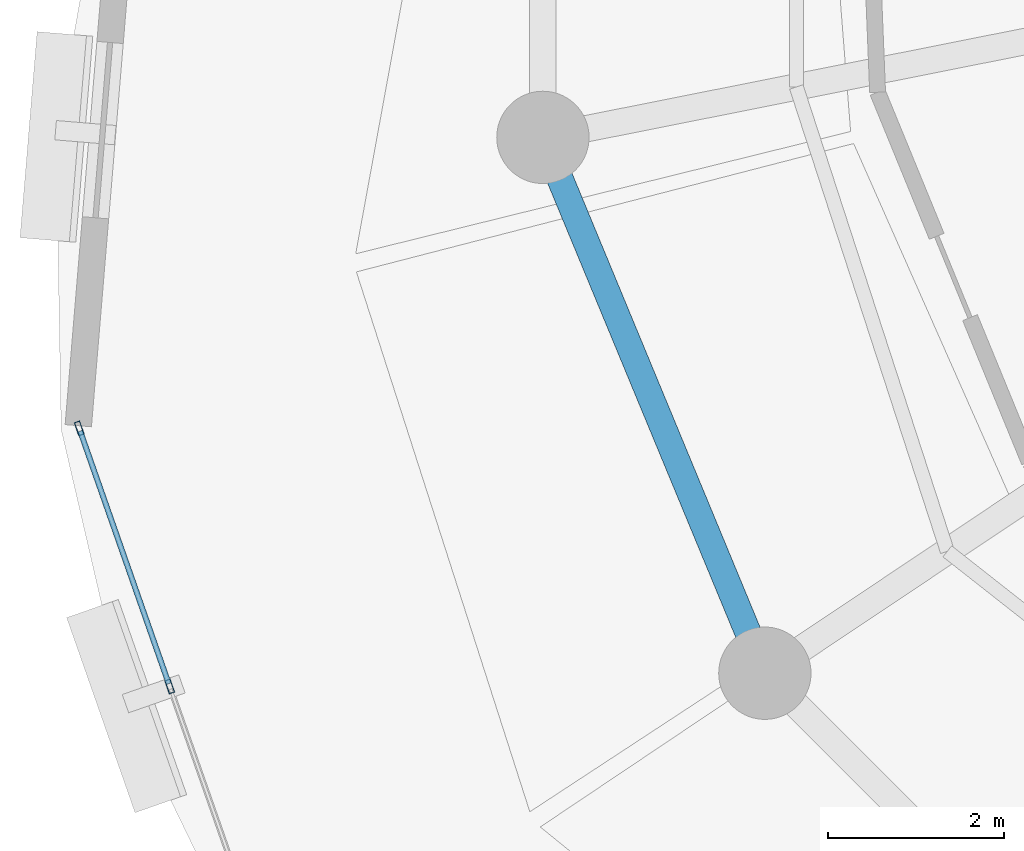
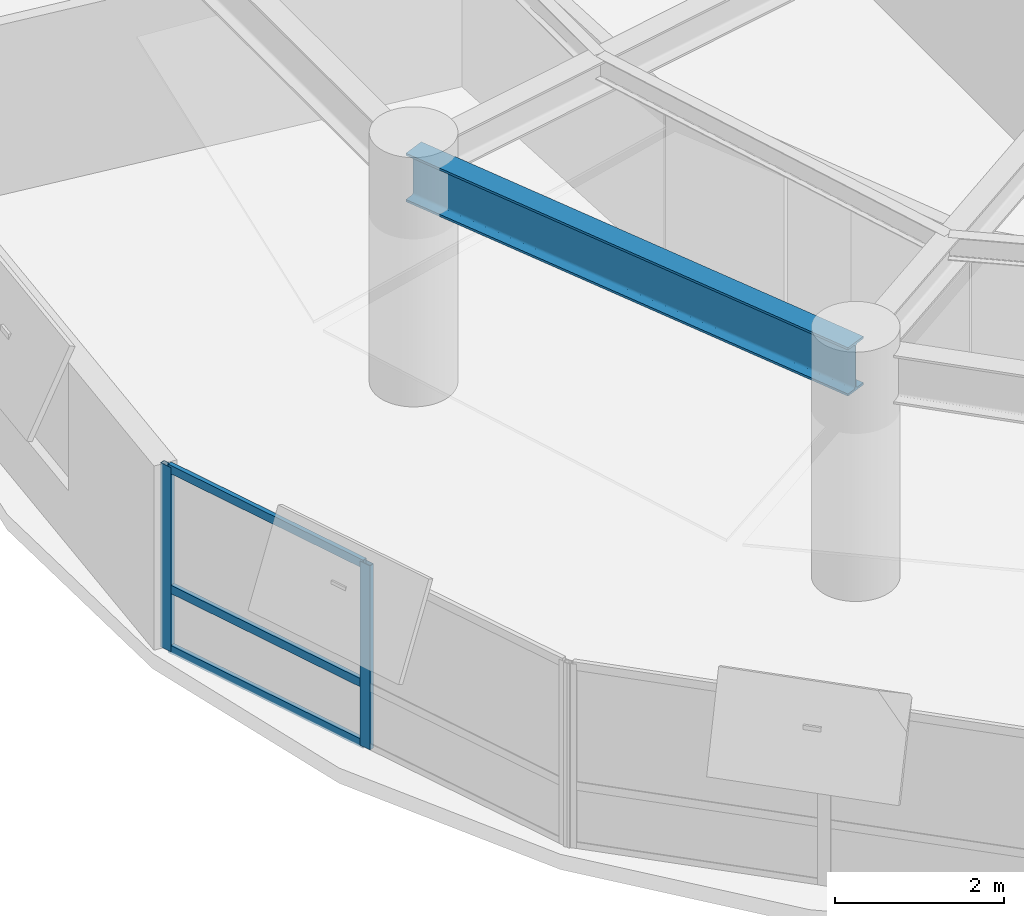
# One storey, part 4 of 12: 5 members, 1 beam, 1 element without a shape of its own.
"""IFC4 building model written with IfcOpenShell, lengths in metres."""

from ifc_helpers import new_model, si_unit, direction, frame, origin, origin_2d, place, context, subcontext, project, spatial, hollow_rectangle, i_section, extrude, material, layer, layer_set, material_profile, profile_set, type_object, element, aggregate, save


model = new_model("IFC4")

# Units and contexts
model_context = context("Model", 3, precision=1e-05, world=origin(), true_north=direction((0.0, 1.0)))
body_context = subcontext(model_context, "Body", "Model", "MODEL_VIEW")
ifc_project = project(units=[si_unit("LENGTHUNIT", "METRE"), si_unit("AREAUNIT", "SQUARE_METRE"), si_unit("VOLUMEUNIT", "CUBIC_METRE"), si_unit("PLANEANGLEUNIT", "RADIAN"), si_unit("MASSUNIT", "GRAM", prefix="KILO"), si_unit("THERMODYNAMICTEMPERATUREUNIT", "KELVIN"), si_unit("POWERUNIT", "WATT")], contexts=[model_context])

# Site, building, storey
site_placement = place(None, origin())
site = spatial("IfcSite", under=ifc_project, at=site_placement, CompositionType="ELEMENT")
building_placement = place(site_placement, origin())
building = spatial("IfcBuilding", under=site, at=building_placement, Name="Ocrelia Relay Tower", CompositionType="ELEMENT")
storey_placement = place(building_placement, frame((0.0, 0.0, 170.0)))
storey = spatial("IfcBuildingStorey", under=building, at=storey_placement, Name="L40", CompositionType="ELEMENT", Elevation=170.0)

# Beam
ifc_material_1 = material(Name="Steel S355", Category="steel")
ifc_material_profile_1 = material_profile(ifc_material_1, i_section(OverallWidth=0.300048828125, OverallDepth=0.699951171875, WebThickness=0.01708984375, FlangeThickness=0.031982421875, FilletRadius=0.027099609375, at=origin_2d()), Name="HEB 700")
ifc_profile_set_1 = profile_set([ifc_material_profile_1], Name="Steel S355")
beam_type = type_object("IfcBeamType", Name="BM-HEB700", PredefinedType="BEAM", material=ifc_profile_set_1)
beam_placement = place(storey_placement, frame((17.4248046875, 22.702880859375, 3.030029296875), z_axis=(0.382687508402, -0.923877844151, 0.0), x_axis=(0.923877844151, 0.382687508402, 0.0)))
element("IfcBeam", 1, at=beam_placement, inside=storey, type_object=beam_type, Name="L40 Perimeter Spandrel Beam S09", PredefinedType="BEAM", context=body_context, shape_type="SweptSolid", body=[
    extrude(i_section(OverallWidth=0.300048828125, OverallDepth=0.699951171875, WebThickness=0.01708984375, FlangeThickness=0.031982421875, FilletRadius=0.027099609375, at=origin_2d()), origin(), (0.0, 0.0, 1.0), 6.593994140625),
])

# Curtain wall, members
ifc_material_2 = material(Name="Aluminium and solar-control low-E glass", Category="aluminium")
ifc_layer = layer(ifc_material_2, 0.179931640625, Name="Aluminium and solar-control low-E glass")
ifc_layer_set = layer_set([ifc_layer], Name="Aluminium and solar-control low-E glass")
curtain_wall_type = type_object("IfcCurtainWallType", Name="CW-SYS-Z3-CLOU", PredefinedType="NOTDEFINED", material=ifc_layer_set)
curtain_wall_placement = place(storey_placement, origin())
curtain_wall = element("IfcCurtainWall", 2, at=curtain_wall_placement, inside=storey, type_object=curtain_wall_type, Name="L40 Elliptical Tower Curtain Wall Bay 09", PredefinedType="NOTDEFINED")
ifc_material_3 = material(Name="Anodised bronze aluminium", Category="aluminium")
ifc_material_profile_2 = material_profile(ifc_material_3, hollow_rectangle(XDim=0.06494140625, YDim=0.159912109375, WallThickness=0.0048828125, at=origin_2d()), Name="CW-MUL-160x65")
ifc_profile_set_2 = profile_set([ifc_material_profile_2], Name="Anodised bronze aluminium")
member_type_1 = type_object("IfcMemberType", Name="CW-SYS-Z3-CLOU-MUL", PredefinedType="MULLION", material=ifc_profile_set_2)
member_1_placement = place(storey_placement, frame((12.153076171875, 19.39453125, 0.0), z_axis=(0.0, 0.0, 1.0), x_axis=(0.943685270253, 0.330844541602, 0.0)))
member_1 = element("IfcMember", 3, at=member_1_placement, type_object=member_type_1, Name="CW-Z3 mullion 1", PredefinedType="MULLION", context=body_context, shape_type="SweptSolid", body=[
    extrude(hollow_rectangle(XDim=0.06494140625, YDim=0.159912109375, WallThickness=0.0048828125, at=origin_2d()), origin(), (0.0, 0.0, 1.0), 2.659912109375),
])
member_2_placement = place(storey_placement, frame((13.181640625, 16.460693359375, 0.0), z_axis=(0.0, 0.0, 1.0), x_axis=(0.943685270253, 0.330844541602, 0.0)))
member_2 = element("IfcMember", 4, at=member_2_placement, type_object=member_type_1, Name="CW-Z3 mullion 2", PredefinedType="MULLION", context=body_context, shape_type="SweptSolid", body=[
    extrude(hollow_rectangle(XDim=0.06494140625, YDim=0.159912109375, WallThickness=0.0048828125, at=origin_2d()), origin(), (0.0, 0.0, 1.0), 2.659912109375),
])
ifc_material_profile_3 = material_profile(ifc_material_3, hollow_rectangle(XDim=0.06005859375, YDim=0.1201171875, WallThickness=0.0048828125, at=origin_2d()), Name="CW-TRN-120x60")
ifc_profile_set_3 = profile_set([ifc_material_profile_3], Name="Anodised bronze aluminium")
member_type_2 = type_object("IfcMemberType", Name="CW-SYS-Z3-CLOU-TRN", PredefinedType="USERDEFINED", material=ifc_profile_set_3)
member_3_placement = place(storey_placement, frame((12.163818359375, 19.36376953125, 0.030029296875), z_axis=(0.330843395939, -0.943685671908, 0.0), x_axis=(0.943685671908, 0.330843395939, 0.0)))
member_3 = element("IfcMember", 5, at=member_3_placement, type_object=member_type_2, Name="CW-Z3 transom 1.1", ObjectType="TRANSOM", PredefinedType="USERDEFINED", context=body_context, shape_type="SweptSolid", body=[
    extrude(hollow_rectangle(XDim=0.06005859375, YDim=0.1201171875, WallThickness=0.0048828125, at=origin_2d()), origin(), (0.0, 0.0, 1.0), 3.0439453125),
])
member_4_placement = place(storey_placement, frame((12.163818359375, 19.36376953125, 0.89990234375), z_axis=(0.330843395939, -0.943685671908, 0.0), x_axis=(0.943685671908, 0.330843395939, 0.0)))
member_4 = element("IfcMember", 6, at=member_4_placement, type_object=member_type_2, Name="CW-Z3 transom 1.2", ObjectType="TRANSOM", PredefinedType="USERDEFINED", context=body_context, shape_type="SweptSolid", body=[
    extrude(hollow_rectangle(XDim=0.06005859375, YDim=0.1201171875, WallThickness=0.0048828125, at=origin_2d()), origin(), (0.0, 0.0, 1.0), 3.0439453125),
])
member_5_placement = place(storey_placement, frame((12.163818359375, 19.36376953125, 2.6298828125), z_axis=(0.330843395939, -0.943685671908, 0.0), x_axis=(0.943685671908, 0.330843395939, 0.0)))
member_5 = element("IfcMember", 7, at=member_5_placement, type_object=member_type_2, Name="CW-Z3 transom 1.3", ObjectType="TRANSOM", PredefinedType="USERDEFINED", context=body_context, shape_type="SweptSolid", body=[
    extrude(hollow_rectangle(XDim=0.06005859375, YDim=0.1201171875, WallThickness=0.0048828125, at=origin_2d()), origin(), (0.0, 0.0, 1.0), 3.0439453125),
])
aggregate(curtain_wall, [member_1, member_2, member_3, member_4, member_5])

save(model, "model.ifc")
